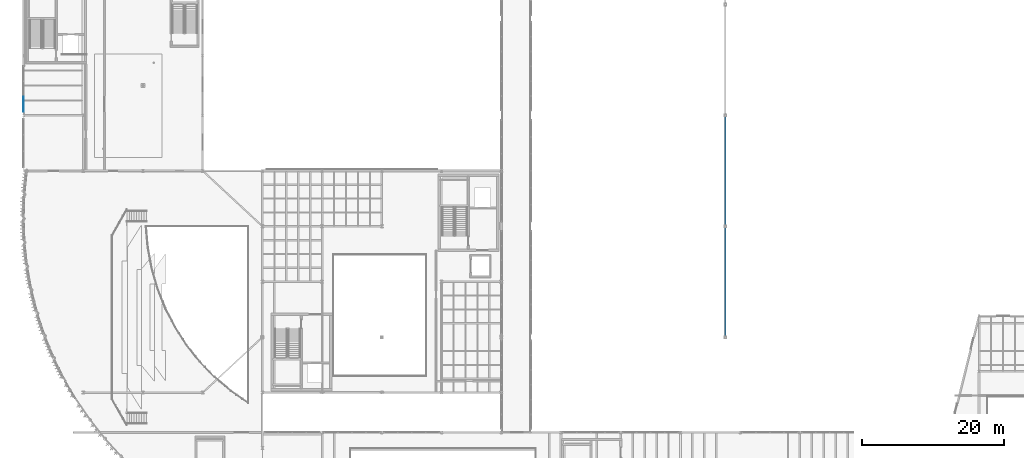
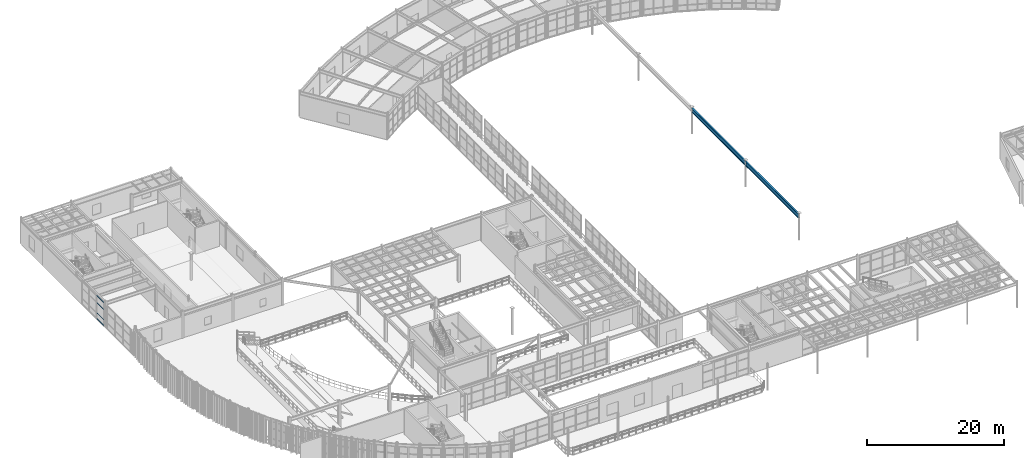
# One storey, part 61 of 116: 4 members, 2 beams, 1 element without a shape of its own.
"""IFC4 building model written with IfcOpenShell, lengths in metres."""

from ifc_helpers import new_model, si_unit, direction, frame, origin, origin_2d, place, context, subcontext, project, spatial, hollow_rectangle, i_section, extrude, material, layer, layer_set, material_profile, profile_set, type_object, element, aggregate, save


model = new_model("IFC4")

# Units and contexts
model_context = context("Model", 3, precision=1e-05, world=origin(), true_north=direction((0.0, 1.0)))
body_context = subcontext(model_context, "Body", "Model", "MODEL_VIEW")
ifc_project = project(units=[si_unit("LENGTHUNIT", "METRE"), si_unit("AREAUNIT", "SQUARE_METRE"), si_unit("VOLUMEUNIT", "CUBIC_METRE"), si_unit("PLANEANGLEUNIT", "RADIAN"), si_unit("MASSUNIT", "GRAM", prefix="KILO")], contexts=[model_context])

# Site, building, storey
site_placement = place(None, origin())
site = spatial("IfcSite", under=ifc_project, at=site_placement, CompositionType="ELEMENT")
building_placement = place(site_placement, origin())
building = spatial("IfcBuilding", under=site, at=building_placement, Name="Selat Folded Stagehouse", CompositionType="ELEMENT")
storey_placement = place(building_placement, frame((0.0, 0.0, 5.39990234375)))
storey = spatial("IfcBuildingStorey", under=building, at=storey_placement, Name="L01", CompositionType="ELEMENT", Elevation=5.39990234375)

# Beams
ifc_material_1 = material(Name="Steel S355", Category="steel")
ifc_material_profile_1 = material_profile(ifc_material_1, i_section(OverallWidth=0.26806640625, OverallDepth=0.769775390625, WebThickness=0.015625, FlangeThickness=0.025390625, FilletRadius=0.0166015625, at=origin_2d()), Name="UKB 762x267x197")
ifc_profile_set_1 = profile_set([ifc_material_profile_1], Name="Steel S355")
beam_type = type_object("IfcBeamType", Name="BM-GIRD-762x267x197", PredefinedType="BEAM", material=ifc_profile_set_1)
beam_1_placement = place(storey_placement, frame((98.699951171875, 31.280029296875, 4.205078125), z_axis=(0.0, 1.0, 0.0), x_axis=(-1.0, 0.0, 0.0)))
element("IfcBeam", 1, at=beam_1_placement, inside=storey, type_object=beam_type, Name="L01 primary y-girder 0832", PredefinedType="BEAM", context=body_context, shape_type="SweptSolid", body=[
    extrude(i_section(OverallWidth=0.26806640625, OverallDepth=0.769775390625, WebThickness=0.015625, FlangeThickness=0.025390625, FilletRadius=0.0166015625, at=origin_2d()), origin(), (0.0, 0.0, 1.0), 15.43994140625),
])
beam_2_placement = place(storey_placement, frame((98.699951171875, 46.8798828125, 4.205078125), z_axis=(0.0, 1.0, 0.0), x_axis=(-1.0, 0.0, 0.0)))
element("IfcBeam", 2, at=beam_2_placement, inside=storey, type_object=beam_type, Name="L01 primary y-girder 0833", PredefinedType="BEAM", context=body_context, shape_type="SweptSolid", body=[
    extrude(i_section(OverallWidth=0.26806640625, OverallDepth=0.769775390625, WebThickness=0.015625, FlangeThickness=0.025390625, FilletRadius=0.0166015625, at=origin_2d()), origin(), (0.0, 0.0, 1.0), 15.440185546875),
])

# Curtain wall, members
ifc_material_2 = material(Name="Aluminium 6063-T6", Category="aluminium")
ifc_layer = layer(ifc_material_2, 0.179931640625)
ifc_layer_set = layer_set([ifc_layer], Name="Aluminium 6063-T6")
curtain_wall_type = type_object("IfcCurtainWallType", Name="CW-BBX-FOYER", PredefinedType="NOTDEFINED", material=ifc_layer_set)
curtain_wall_placement = place(storey_placement, origin())
curtain_wall = element("IfcCurtainWall", 3, at=curtain_wall_placement, inside=storey, type_object=curtain_wall_type, Name="L01 curtain wall CW-BRG-22", PredefinedType="NOTDEFINED")
ifc_material_profile_2 = material_profile(ifc_material_2, hollow_rectangle(XDim=0.06494140625, YDim=0.139892578125, WallThickness=0.00390625, at=origin_2d()), Name="ALU 140x65x4.0")
ifc_profile_set_2 = profile_set([ifc_material_profile_2], Name="Aluminium 6063-T6")
member_type = type_object("IfcMemberType", Name="CWM-TRN-140x65", PredefinedType="USERDEFINED", material=ifc_profile_set_2)
member_1_placement = place(storey_placement, frame((0.0, 62.909912109375, 0.03271484375), z_axis=(0.0, 1.0, 0.0), x_axis=(-1.0, 0.0, 0.0)))
member_1 = element("IfcMember", 4, at=member_1_placement, type_object=member_type, Name="CW-08 transom 1.1", ObjectType="TRANSOM", PredefinedType="USERDEFINED", context=body_context, shape_type="SweptSolid", body=[
    extrude(hollow_rectangle(XDim=0.06494140625, YDim=0.139892578125, WallThickness=0.00390625, at=origin_2d()), origin(), (0.0, 0.0, 1.0), 2.07666015625),
])
member_2_placement = place(storey_placement, frame((0.0, 62.909912109375, 1.050048828125), z_axis=(0.0, 1.0, 0.0), x_axis=(-1.0, 0.0, 0.0)))
member_2 = element("IfcMember", 5, at=member_2_placement, type_object=member_type, Name="CW-08 transom 1.2", ObjectType="TRANSOM", PredefinedType="USERDEFINED", context=body_context, shape_type="SweptSolid", body=[
    extrude(hollow_rectangle(XDim=0.06494140625, YDim=0.139892578125, WallThickness=0.00390625, at=origin_2d()), origin(), (0.0, 0.0, 1.0), 2.07666015625),
])
member_3_placement = place(storey_placement, frame((0.0, 62.909912109375, 2.85009765625), z_axis=(0.0, 1.0, 0.0), x_axis=(-1.0, 0.0, 0.0)))
member_3 = element("IfcMember", 6, at=member_3_placement, type_object=member_type, Name="CW-08 transom 1.3", ObjectType="TRANSOM", PredefinedType="USERDEFINED", context=body_context, shape_type="SweptSolid", body=[
    extrude(hollow_rectangle(XDim=0.06494140625, YDim=0.139892578125, WallThickness=0.00390625, at=origin_2d()), origin(), (0.0, 0.0, 1.0), 2.07666015625),
])
member_4_placement = place(storey_placement, frame((0.0, 62.909912109375, 4.11767578125), z_axis=(0.0, 1.0, 0.0), x_axis=(-1.0, 0.0, 0.0)))
member_4 = element("IfcMember", 7, at=member_4_placement, type_object=member_type, Name="CW-08 transom 1.4", ObjectType="TRANSOM", PredefinedType="USERDEFINED", context=body_context, shape_type="SweptSolid", body=[
    extrude(hollow_rectangle(XDim=0.06494140625, YDim=0.139892578125, WallThickness=0.00390625, at=origin_2d()), origin(), (0.0, 0.0, 1.0), 2.07666015625),
])
aggregate(curtain_wall, [member_1, member_2, member_3, member_4])

save(model, "model.ifc")
